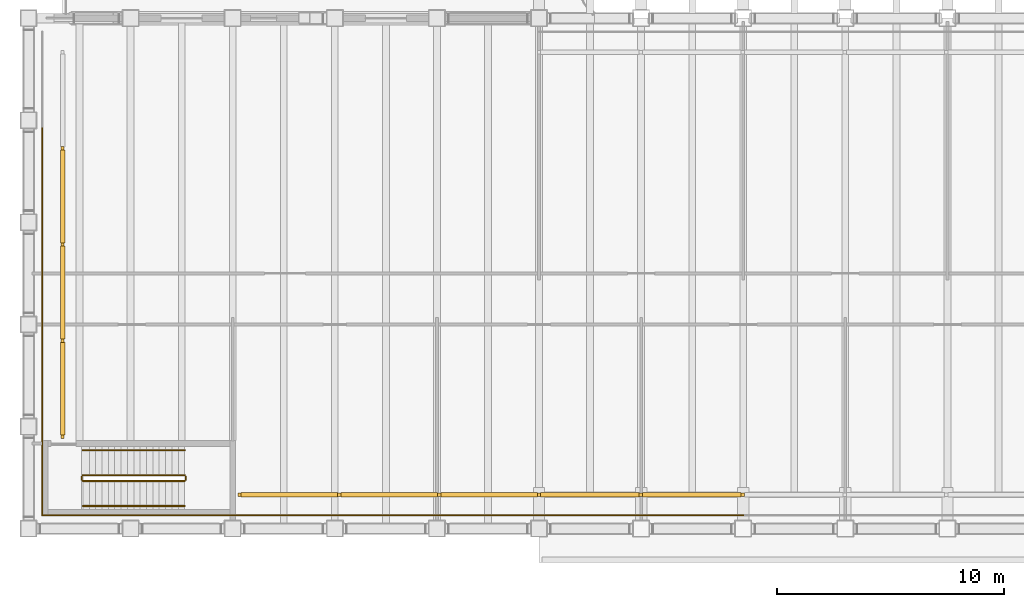
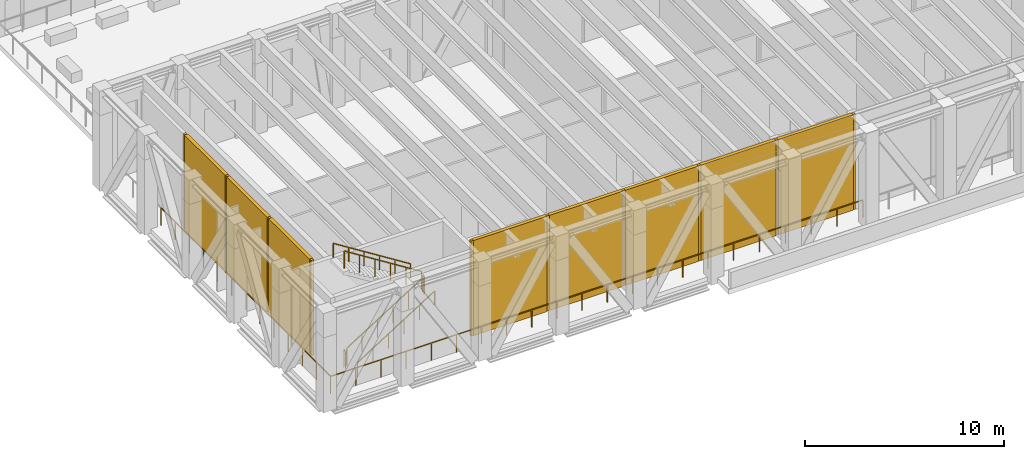
# One storey, part 14 of 20: 18 shading devices, 17 railings.
"""IFC4 building model written with IfcOpenShell, lengths in metres."""

from ifc_helpers import new_model, si_unit, direction, frame, origin, origin_2d, place, context, subcontext, project, spatial, rectangle, extrude, material, layer, layer_set, type_object, element, save


model = new_model("IFC4")

# Units and contexts
model_context = context("Model", 3, precision=1e-05, world=origin(), true_north=direction((0.0, 1.0)))
body_context = subcontext(model_context, "Body", "Model", "MODEL_VIEW")
ifc_project = project(units=[si_unit("LENGTHUNIT", "METRE"), si_unit("AREAUNIT", "SQUARE_METRE"), si_unit("VOLUMEUNIT", "CUBIC_METRE"), si_unit("PLANEANGLEUNIT", "RADIAN"), si_unit("MASSUNIT", "GRAM", prefix="KILO")], contexts=[model_context])

# Site, building, storey
site_placement = place(None, origin())
site = spatial("IfcSite", under=ifc_project, at=site_placement, CompositionType="ELEMENT")
building_placement = place(site_placement, origin())
building = spatial("IfcBuilding", under=site, at=building_placement, Name="Sennacour Bend Tower", CompositionType="ELEMENT")
storey_placement = place(building_placement, frame((0.0, 0.0, 243.0)))
storey = spatial("IfcBuildingStorey", under=building, at=storey_placement, Name="L56", CompositionType="ELEMENT", Elevation=243.0)

# Railings
ifc_material_1 = material(Name="Stainless steel 316", Category="steel")
railing_type_1 = type_object("IfcRailingType", Name="GUARD 1100", PredefinedType="GUARDRAIL", material=ifc_material_1)
for number, where, name in (
    (1, (0.60009765625, 0.60009765625, 0.0), "Guard L56"),
    (2, (0.60009765625, 4.860107421875, 0.0), "Guard L56"),
):
    element("IfcRailing", number, at=place(storey_placement, frame(where)), inside=storey, type_object=railing_type_1, Name=name, PredefinedType="GUARDRAIL", context=body_context, shape_type="SweptSolid", body=[
        extrude(rectangle(XDim=0.048095703125, YDim=0.048095703125, at=origin_2d()), frame((0.0, 0.0, 1.076171875), z_axis=(0.0, 1.0, 0.0), x_axis=(-1.0, 0.0, 0.0)), (0.0, 0.0, 1.0), 4.260009765625),
        extrude(rectangle(XDim=0.0419921875, YDim=0.0419921875, at=origin_2d()), origin(), (0.0, 0.0, 1.0), 1.052001953125),
        extrude(rectangle(XDim=0.0419921875, YDim=0.0419921875, at=origin_2d()), frame((0.0, 1.419921875, 0.0)), (0.0, 0.0, 1.0), 1.052001953125),
        extrude(rectangle(XDim=0.0419921875, YDim=0.0419921875, at=origin_2d()), frame((0.0, 2.840087890625, 0.0)), (0.0, 0.0, 1.0), 1.052001953125),
        extrude(rectangle(XDim=0.0419921875, YDim=0.0419921875, at=origin_2d()), frame((0.0, 4.260009765625, 0.0)), (0.0, 0.0, 1.0), 1.052001953125),
    ])
railing_1_placement = place(storey_placement, frame((0.60009765625, 9.1201171875, 0.0)))
element("IfcRailing", 3, at=railing_1_placement, inside=storey, type_object=railing_type_1, Name="Guard L56", PredefinedType="GUARDRAIL", context=body_context, shape_type="SweptSolid", body=[
    extrude(rectangle(XDim=0.048095703125, YDim=0.048095703125, at=origin_2d()), frame((0.0, 0.0, 1.076171875), z_axis=(0.0, 1.0, 0.0), x_axis=(-1.0, 0.0, 0.0)), (0.0, 0.0, 1.0), 4.259765625),
    extrude(rectangle(XDim=0.0419921875, YDim=0.0419921875, at=origin_2d()), origin(), (0.0, 0.0, 1.0), 1.052001953125),
    extrude(rectangle(XDim=0.0419921875, YDim=0.0419921875, at=origin_2d()), frame((0.0, 1.419921875, 0.0)), (0.0, 0.0, 1.0), 1.052001953125),
    extrude(rectangle(XDim=0.0419921875, YDim=0.0419921875, at=origin_2d()), frame((0.0, 2.83984375, 0.0)), (0.0, 0.0, 1.0), 1.052001953125),
    extrude(rectangle(XDim=0.0419921875, YDim=0.0419921875, at=origin_2d()), frame((0.0, 4.259765625, 0.0)), (0.0, 0.0, 1.0), 1.052001953125),
])
railing_2_placement = place(storey_placement, frame((0.60009765625, 13.3798828125, 0.0)))
element("IfcRailing", 4, at=railing_2_placement, inside=storey, type_object=railing_type_1, Name="Guard L56", PredefinedType="GUARDRAIL", context=body_context, shape_type="SweptSolid", body=[
    extrude(rectangle(XDim=0.048095703125, YDim=0.048095703125, at=origin_2d()), frame((0.0, 0.0, 1.076171875), z_axis=(0.0, 1.0, 0.0), x_axis=(-1.0, 0.0, 0.0)), (0.0, 0.0, 1.0), 4.260009765625),
    extrude(rectangle(XDim=0.0419921875, YDim=0.0419921875, at=origin_2d()), origin(), (0.0, 0.0, 1.0), 1.052001953125),
    extrude(rectangle(XDim=0.0419921875, YDim=0.0419921875, at=origin_2d()), frame((0.0, 1.419921875, 0.0)), (0.0, 0.0, 1.0), 1.052001953125),
    extrude(rectangle(XDim=0.0419921875, YDim=0.0419921875, at=origin_2d()), frame((0.0, 2.840087890625, 0.0)), (0.0, 0.0, 1.0), 1.052001953125),
    extrude(rectangle(XDim=0.0419921875, YDim=0.0419921875, at=origin_2d()), frame((0.0, 4.260009765625, 0.0)), (0.0, 0.0, 1.0), 1.052001953125),
])
railing_3_placement = place(storey_placement, frame((31.499755859375, 0.60009765625, 0.0)))
element("IfcRailing", 5, at=railing_3_placement, inside=storey, type_object=railing_type_1, Name="Guard L56", PredefinedType="GUARDRAIL", context=body_context, shape_type="SweptSolid", body=[
    extrude(rectangle(XDim=0.048095703125, YDim=0.048095703125, at=origin_2d()), frame((0.0, 0.0, 1.076171875), z_axis=(-1.0, 0.0, 0.0), x_axis=(0.0, -1.0, 0.0)), (0.0, 0.0, 1.0), 4.499755859375),
    extrude(rectangle(XDim=0.0419921875, YDim=0.0419921875, at=origin_2d()), origin(), (0.0, 0.0, 1.0), 1.052001953125),
    extrude(rectangle(XDim=0.0419921875, YDim=0.0419921875, at=origin_2d()), frame((-1.5, 0.0, 0.0)), (0.0, 0.0, 1.0), 1.052001953125),
    extrude(rectangle(XDim=0.0419921875, YDim=0.0419921875, at=origin_2d()), frame((-2.999755859375, 0.0, 0.0)), (0.0, 0.0, 1.0), 1.052001953125),
    extrude(rectangle(XDim=0.0419921875, YDim=0.0419921875, at=origin_2d()), frame((-4.499755859375, 0.0, 0.0)), (0.0, 0.0, 1.0), 1.052001953125),
])
railing_4_placement = place(storey_placement, frame((27.0, 0.60009765625, 0.0)))
element("IfcRailing", 6, at=railing_4_placement, inside=storey, type_object=railing_type_1, Name="Guard L56", PredefinedType="GUARDRAIL", context=body_context, shape_type="SweptSolid", body=[
    extrude(rectangle(XDim=0.048095703125, YDim=0.048095703125, at=origin_2d()), frame((0.0, 0.0, 1.076171875), z_axis=(-1.0, 0.0, 0.0), x_axis=(0.0, -1.0, 0.0)), (0.0, 0.0, 1.0), 4.5),
    extrude(rectangle(XDim=0.0419921875, YDim=0.0419921875, at=origin_2d()), origin(), (0.0, 0.0, 1.0), 1.052001953125),
    extrude(rectangle(XDim=0.0419921875, YDim=0.0419921875, at=origin_2d()), frame((-1.5, 0.0, 0.0)), (0.0, 0.0, 1.0), 1.052001953125),
    extrude(rectangle(XDim=0.0419921875, YDim=0.0419921875, at=origin_2d()), frame((-3.0, 0.0, 0.0)), (0.0, 0.0, 1.0), 1.052001953125),
    extrude(rectangle(XDim=0.0419921875, YDim=0.0419921875, at=origin_2d()), frame((-4.5, 0.0, 0.0)), (0.0, 0.0, 1.0), 1.052001953125),
])
railing_5_placement = place(storey_placement, frame((22.5, 0.60009765625, 0.0)))
element("IfcRailing", 7, at=railing_5_placement, inside=storey, type_object=railing_type_1, Name="Guard L56", PredefinedType="GUARDRAIL", context=body_context, shape_type="SweptSolid", body=[
    extrude(rectangle(XDim=0.048095703125, YDim=0.048095703125, at=origin_2d()), frame((0.0, 0.0, 1.076171875), z_axis=(-1.0, 0.0, 0.0), x_axis=(0.0, -1.0, 0.0)), (0.0, 0.0, 1.0), 4.3798828125),
    extrude(rectangle(XDim=0.0419921875, YDim=0.0419921875, at=origin_2d()), origin(), (0.0, 0.0, 1.0), 1.052001953125),
    extrude(rectangle(XDim=0.0419921875, YDim=0.0419921875, at=origin_2d()), frame((-1.4599609375, 0.0, 0.0)), (0.0, 0.0, 1.0), 1.052001953125),
    extrude(rectangle(XDim=0.0419921875, YDim=0.0419921875, at=origin_2d()), frame((-2.919921875, 0.0, 0.0)), (0.0, 0.0, 1.0), 1.052001953125),
    extrude(rectangle(XDim=0.0419921875, YDim=0.0419921875, at=origin_2d()), frame((-4.3798828125, 0.0, 0.0)), (0.0, 0.0, 1.0), 1.052001953125),
])
railing_6_placement = place(storey_placement, frame((18.1201171875, 0.60009765625, 0.0)))
element("IfcRailing", 8, at=railing_6_placement, inside=storey, type_object=railing_type_1, Name="Guard L56", PredefinedType="GUARDRAIL", context=body_context, shape_type="SweptSolid", body=[
    extrude(rectangle(XDim=0.048095703125, YDim=0.048095703125, at=origin_2d()), frame((0.0, 0.0, 1.076171875), z_axis=(-1.0, 0.0, 0.0), x_axis=(0.0, -1.0, 0.0)), (0.0, 0.0, 1.0), 4.380126953125),
    extrude(rectangle(XDim=0.0419921875, YDim=0.0419921875, at=origin_2d()), origin(), (0.0, 0.0, 1.0), 1.052001953125),
    extrude(rectangle(XDim=0.0419921875, YDim=0.0419921875, at=origin_2d()), frame((-1.4599609375, 0.0, 0.0)), (0.0, 0.0, 1.0), 1.052001953125),
    extrude(rectangle(XDim=0.0419921875, YDim=0.0419921875, at=origin_2d()), frame((-2.920166015625, 0.0, 0.0)), (0.0, 0.0, 1.0), 1.052001953125),
    extrude(rectangle(XDim=0.0419921875, YDim=0.0419921875, at=origin_2d()), frame((-4.380126953125, 0.0, 0.0)), (0.0, 0.0, 1.0), 1.052001953125),
])
railing_7_placement = place(storey_placement, frame((13.739990234375, 0.60009765625, 0.0)))
element("IfcRailing", 9, at=railing_7_placement, inside=storey, type_object=railing_type_1, Name="Guard L56", PredefinedType="GUARDRAIL", context=body_context, shape_type="SweptSolid", body=[
    extrude(rectangle(XDim=0.048095703125, YDim=0.048095703125, at=origin_2d()), frame((0.0, 0.0, 1.076171875), z_axis=(-1.0, 0.0, 0.0), x_axis=(0.0, -1.0, 0.0)), (0.0, 0.0, 1.0), 4.3798828125),
    extrude(rectangle(XDim=0.0419921875, YDim=0.0419921875, at=origin_2d()), origin(), (0.0, 0.0, 1.0), 1.052001953125),
    extrude(rectangle(XDim=0.0419921875, YDim=0.0419921875, at=origin_2d()), frame((-1.4599609375, 0.0, 0.0)), (0.0, 0.0, 1.0), 1.052001953125),
    extrude(rectangle(XDim=0.0419921875, YDim=0.0419921875, at=origin_2d()), frame((-2.919921875, 0.0, 0.0)), (0.0, 0.0, 1.0), 1.052001953125),
    extrude(rectangle(XDim=0.0419921875, YDim=0.0419921875, at=origin_2d()), frame((-4.3798828125, 0.0, 0.0)), (0.0, 0.0, 1.0), 1.052001953125),
])
railing_8_placement = place(storey_placement, frame((9.360107421875, 0.60009765625, 0.0)))
element("IfcRailing", 10, at=railing_8_placement, inside=storey, type_object=railing_type_1, Name="Guard L56", PredefinedType="GUARDRAIL", context=body_context, shape_type="SweptSolid", body=[
    extrude(rectangle(XDim=0.048095703125, YDim=0.048095703125, at=origin_2d()), frame((0.0, 0.0, 1.076171875), z_axis=(-1.0, 0.0, 0.0), x_axis=(0.0, -1.0, 0.0)), (0.0, 0.0, 1.0), 4.380126953125),
    extrude(rectangle(XDim=0.0419921875, YDim=0.0419921875, at=origin_2d()), origin(), (0.0, 0.0, 1.0), 1.052001953125),
    extrude(rectangle(XDim=0.0419921875, YDim=0.0419921875, at=origin_2d()), frame((-1.4599609375, 0.0, 0.0)), (0.0, 0.0, 1.0), 1.052001953125),
    extrude(rectangle(XDim=0.0419921875, YDim=0.0419921875, at=origin_2d()), frame((-2.920166015625, 0.0, 0.0)), (0.0, 0.0, 1.0), 1.052001953125),
    extrude(rectangle(XDim=0.0419921875, YDim=0.0419921875, at=origin_2d()), frame((-4.380126953125, 0.0, 0.0)), (0.0, 0.0, 1.0), 1.052001953125),
])
railing_9_placement = place(storey_placement, frame((4.97998046875, 0.60009765625, 0.0)))
element("IfcRailing", 11, at=railing_9_placement, inside=storey, type_object=railing_type_1, Name="Guard L56", PredefinedType="GUARDRAIL", context=body_context, shape_type="SweptSolid", body=[
    extrude(rectangle(XDim=0.048095703125, YDim=0.048095703125, at=origin_2d()), frame((0.0, 0.0, 1.076171875), z_axis=(-1.0, 0.0, 0.0), x_axis=(0.0, -1.0, 0.0)), (0.0, 0.0, 1.0), 4.3798828125),
    extrude(rectangle(XDim=0.0419921875, YDim=0.0419921875, at=origin_2d()), origin(), (0.0, 0.0, 1.0), 1.052001953125),
    extrude(rectangle(XDim=0.0419921875, YDim=0.0419921875, at=origin_2d()), frame((-1.4599609375, 0.0, 0.0)), (0.0, 0.0, 1.0), 1.052001953125),
    extrude(rectangle(XDim=0.0419921875, YDim=0.0419921875, at=origin_2d()), frame((-2.919921875, 0.0, 0.0)), (0.0, 0.0, 1.0), 1.052001953125),
    extrude(rectangle(XDim=0.0419921875, YDim=0.0419921875, at=origin_2d()), frame((-4.3798828125, 0.0, 0.0)), (0.0, 0.0, 1.0), 1.052001953125),
])

# Shading devices
ifc_material_2 = material(Name="Dark bronze anodised aluminium louvre", Category="aluminium")
ifc_layer = layer(ifc_material_2, 0.199951171875, Name="Dark bronze anodised aluminium louvre", Category="aluminium")
ifc_layer_set = layer_set([ifc_layer], Name="Dark bronze anodised aluminium louvre")
shading_device_type_1 = type_object("IfcShadingDeviceType", Name="LOUVRE BANK 200", PredefinedType="USERDEFINED", material=ifc_layer_set)
for number, where, z_axis, x_axis, name in (
    (12, (1.5, 6.168701171875, 0.0), (0.0, 0.0, 1.0), (0.0, 1.0, 0.0), "Louvre bank L56"),
    (13, (1.5, 10.40625, 0.0), (0.0, 0.0, 1.0), (0.0, 1.0, 0.0), "Louvre bank L56"),
    (14, (1.5, 14.643798828125, 0.0), (0.0, 0.0, 1.0), (0.0, 1.0, 0.0), "Louvre bank L56"),
):
    element("IfcShadingDevice", number, at=place(storey_placement, frame(where, z_axis=z_axis, x_axis=x_axis)), inside=storey, type_object=shading_device_type_1, Name=name, ObjectType="LOUVRE", PredefinedType="USERDEFINED", context=body_context, shape_type="SweptSolid", body=[
        extrude(rectangle(XDim=4.097412109375, YDim=0.199951171875, at=origin_2d()), origin(), (0.0, 0.0, 1.0), 5.85009765625),
    ])
for number, where, z_axis, x_axis, name in (
    (15, (29.233642578125, 1.5, 0.0), (0.0, 0.0, 1.0), (-1.0, 0.0, 0.0), "Louvre bank L56"),
    (16, (24.74462890625, 1.5, 0.0), (0.0, 0.0, 1.0), (-1.0, 0.0, 0.0), "Louvre bank L56"),
):
    element("IfcShadingDevice", number, at=place(storey_placement, frame(where, z_axis=z_axis, x_axis=x_axis)), inside=storey, type_object=shading_device_type_1, Name=name, ObjectType="LOUVRE", PredefinedType="USERDEFINED", context=body_context, shape_type="SweptSolid", body=[
        extrude(rectangle(XDim=4.34912109375, YDim=0.199951171875, at=origin_2d()), origin(), (0.0, 0.0, 1.0), 5.85009765625),
    ])
for number, where, z_axis, x_axis, name in (
    (17, (20.300048828125, 1.5, 0.0), (0.0, 0.0, 1.0), (-1.0, 0.0, 0.0), "Louvre bank L56"),
    (18, (15.89990234375, 1.5, 0.0), (0.0, 0.0, 1.0), (-1.0, 0.0, 0.0), "Louvre bank L56"),
    (19, (11.5, 1.5, 0.0), (0.0, 0.0, 1.0), (-1.0, 0.0, 0.0), "Louvre bank L56"),
):
    element("IfcShadingDevice", number, at=place(storey_placement, frame(where, z_axis=z_axis, x_axis=x_axis)), inside=storey, type_object=shading_device_type_1, Name=name, ObjectType="LOUVRE", PredefinedType="USERDEFINED", context=body_context, shape_type="SweptSolid", body=[
        extrude(rectangle(XDim=4.260009765625, YDim=0.199951171875, at=origin_2d()), origin(), (0.0, 0.0, 1.0), 5.85009765625),
    ])
shading_device_type_2 = type_object("IfcShadingDeviceType", Name="LOUVRE WALL POST 150", PredefinedType="USERDEFINED", material=ifc_material_2)
for number, where, z_axis, x_axis, name in (
    (20, (1.5, 4.050048828125, 0.0), (0.0, 0.0, 1.0), (1.0, 0.0, 0.0), "Louvre wall post L56"),
    (21, (1.5, 8.28759765625, 0.0), (0.0, 0.0, 1.0), (1.0, 0.0, 0.0), "Louvre wall post L56"),
    (22, (1.5, 12.52490234375, 0.0), (0.0, 0.0, 1.0), (1.0, 0.0, 0.0), "Louvre wall post L56"),
    (23, (1.5, 16.762451171875, 0.0), (0.0, 0.0, 1.0), (1.0, 0.0, 0.0), "Louvre wall post L56"),
    (24, (31.478271484375, 1.5, 0.0), (0.0, 0.0, 1.0), (1.0, 0.0, 0.0), "Louvre wall post L56"),
    (25, (26.989013671875, 1.5, 0.0), (0.0, 0.0, 1.0), (1.0, 0.0, 0.0), "Louvre wall post L56"),
    (26, (22.5, 1.5, 0.0), (0.0, 0.0, 1.0), (1.0, 0.0, 0.0), "Louvre wall post L56"),
    (27, (18.10009765625, 1.5, 0.0), (0.0, 0.0, 1.0), (1.0, 0.0, 0.0), "Louvre wall post L56"),
    (28, (13.699951171875, 1.5, 0.0), (0.0, 0.0, 1.0), (1.0, 0.0, 0.0), "Louvre wall post L56"),
    (29, (9.300048828125, 1.5, 0.0), (0.0, 0.0, 1.0), (1.0, 0.0, 0.0), "Louvre wall post L56"),
):
    element("IfcShadingDevice", number, at=place(storey_placement, frame(where, z_axis=z_axis, x_axis=x_axis)), inside=storey, type_object=shading_device_type_2, Name=name, ObjectType="LOUVRE", PredefinedType="USERDEFINED", context=body_context, shape_type="SweptSolid", body=[
        extrude(rectangle(XDim=0.14990234375, YDim=0.14990234375, at=origin_2d()), origin(), (0.0, 0.0, 1.0), 5.85009765625),
    ])

# Railings
ifc_material_3 = material(Name="Stainless steel", Category="steel")
railing_type_2 = type_object("IfcRailingType", Name="RL-GUARD-1100", PredefinedType="GUARDRAIL", material=ifc_material_3)
railing_10_placement = place(storey_placement, frame((2.39990234375, 2.10009765625, 0.176513671875)))
element("IfcRailing", 30, at=railing_10_placement, inside=storey, type_object=railing_type_2, Name="L56 SK1 stair guard 1", PredefinedType="GUARDRAIL", context=body_context, shape_type="SweptSolid", body=[
    extrude(rectangle(XDim=0.048095703125, YDim=0.048095703125, at=origin_2d()), frame((0.0, 0.0, 1.076171875), z_axis=(0.845997938375, 0.0, 0.533186166611), x_axis=(0.0, 1.0, 0.0)), (0.0, 0.0, 1.0), 5.29541015625),
    extrude(rectangle(XDim=0.0419921875, YDim=0.0419921875, at=origin_2d()), origin(), (0.0, 0.0, 1.0), 1.052001953125),
    extrude(rectangle(XDim=0.0419921875, YDim=0.0419921875, at=origin_2d()), frame((0.89599609375, 0.0, 0.564697265625)), (0.0, 0.0, 1.0), 1.052001953125),
    extrude(rectangle(XDim=0.0419921875, YDim=0.0419921875, at=origin_2d()), frame((1.7919921875, 0.0, 1.12939453125)), (0.0, 0.0, 1.0), 1.052001953125),
    extrude(rectangle(XDim=0.0419921875, YDim=0.0419921875, at=origin_2d()), frame((2.68798828125, 0.0, 1.694091796875)), (0.0, 0.0, 1.0), 1.052001953125),
    extrude(rectangle(XDim=0.0419921875, YDim=0.0419921875, at=origin_2d()), frame((3.583984375, 0.0, 2.2587890625)), (0.0, 0.0, 1.0), 1.052001953125),
    extrude(rectangle(XDim=0.0419921875, YDim=0.0419921875, at=origin_2d()), frame((4.47998046875, 0.0, 2.823486328125)), (0.0, 0.0, 1.0), 1.052001953125),
])
railing_11_placement = place(storey_placement, frame((6.929931640625, 2.14990234375, 3.0)))
element("IfcRailing", 31, at=railing_11_placement, inside=storey, type_object=railing_type_2, Name="L56 SK1 stair guard 2", PredefinedType="GUARDRAIL", context=body_context, shape_type="SweptSolid", body=[
    extrude(rectangle(XDim=0.048095703125, YDim=0.048095703125, at=origin_2d()), frame((0.0, 0.0, 1.076171875), z_axis=(0.0, 1.0, 0.0), x_axis=(-1.0, 0.0, 0.0)), (0.0, 0.0, 1.0), 0.150146484375),
    extrude(rectangle(XDim=0.0419921875, YDim=0.0419921875, at=origin_2d()), origin(), (0.0, 0.0, 1.0), 1.052001953125),
    extrude(rectangle(XDim=0.0419921875, YDim=0.0419921875, at=origin_2d()), frame((0.0, 0.150146484375, 0.0)), (0.0, 0.0, 1.0), 1.052001953125),
])
railing_12_placement = place(storey_placement, frame((6.8798828125, 2.35009765625, 3.176513671875)))
element("IfcRailing", 32, at=railing_12_placement, inside=storey, type_object=railing_type_2, Name="L56 SK1 stair guard 3", PredefinedType="GUARDRAIL", context=body_context, shape_type="SweptSolid", body=[
    extrude(rectangle(XDim=0.048095703125, YDim=0.048095703125, at=origin_2d()), frame((0.0, 0.0, 1.076171875), z_axis=(-0.845997938375, 0.0, 0.533186166611), x_axis=(0.0, -1.0, 0.0)), (0.0, 0.0, 1.0), 5.29541015625),
    extrude(rectangle(XDim=0.0419921875, YDim=0.0419921875, at=origin_2d()), origin(), (0.0, 0.0, 1.0), 1.052001953125),
    extrude(rectangle(XDim=0.0419921875, YDim=0.0419921875, at=origin_2d()), frame((-0.89599609375, 0.0, 0.564697265625)), (0.0, 0.0, 1.0), 1.052001953125),
    extrude(rectangle(XDim=0.0419921875, YDim=0.0419921875, at=origin_2d()), frame((-1.7919921875, 0.0, 1.12939453125)), (0.0, 0.0, 1.0), 1.052001953125),
    extrude(rectangle(XDim=0.0419921875, YDim=0.0419921875, at=origin_2d()), frame((-2.68798828125, 0.0, 1.694091796875)), (0.0, 0.0, 1.0), 1.052001953125),
    extrude(rectangle(XDim=0.0419921875, YDim=0.0419921875, at=origin_2d()), frame((-3.583984375, 0.0, 2.2587890625)), (0.0, 0.0, 1.0), 1.052001953125),
    extrude(rectangle(XDim=0.0419921875, YDim=0.0419921875, at=origin_2d()), frame((-4.47998046875, 0.0, 2.823486328125)), (0.0, 0.0, 1.0), 1.052001953125),
])
railing_13_placement = place(storey_placement, frame((2.35009765625, 2.14990234375, 0.0)))
element("IfcRailing", 33, at=railing_13_placement, inside=storey, type_object=railing_type_2, Name="L56 SK1 stair guard 4", PredefinedType="GUARDRAIL", context=body_context, shape_type="SweptSolid", body=[
    extrude(rectangle(XDim=0.048095703125, YDim=0.048095703125, at=origin_2d()), frame((0.0, 0.0, 1.076171875), z_axis=(0.0, 1.0, 0.0), x_axis=(-1.0, 0.0, 0.0)), (0.0, 0.0, 1.0), 0.150146484375),
    extrude(rectangle(XDim=0.0419921875, YDim=0.0419921875, at=origin_2d()), origin(), (0.0, 0.0, 1.0), 1.052001953125),
    extrude(rectangle(XDim=0.0419921875, YDim=0.0419921875, at=origin_2d()), frame((0.0, 0.150146484375, 0.0)), (0.0, 0.0, 1.0), 1.052001953125),
])
railing_type_3 = type_object("IfcRailingType", Name="RL-HANDRAIL-900", PredefinedType="HANDRAIL", material=ifc_material_3)
railing_14_placement = place(storey_placement, frame((2.39990234375, 1.0, 0.176513671875)))
element("IfcRailing", 34, at=railing_14_placement, inside=storey, type_object=railing_type_3, Name="L56 SK1 stair handrail 1", PredefinedType="HANDRAIL", context=body_context, shape_type="SweptSolid", body=[
    extrude(rectangle(XDim=0.048095703125, YDim=0.048095703125, at=origin_2d()), frame((0.0, 0.0, 0.8759765625), z_axis=(0.845997938375, 0.0, 0.533186166611), x_axis=(0.0, 1.0, 0.0)), (0.0, 0.0, 1.0), 5.29541015625),
    extrude(rectangle(XDim=0.0419921875, YDim=0.0419921875, at=origin_2d()), origin(), (0.0, 0.0, 1.0), 0.851806640625),
    extrude(rectangle(XDim=0.0419921875, YDim=0.0419921875, at=origin_2d()), frame((0.89599609375, 0.0, 0.564697265625)), (0.0, 0.0, 1.0), 0.851806640625),
    extrude(rectangle(XDim=0.0419921875, YDim=0.0419921875, at=origin_2d()), frame((1.7919921875, 0.0, 1.12939453125)), (0.0, 0.0, 1.0), 0.851806640625),
    extrude(rectangle(XDim=0.0419921875, YDim=0.0419921875, at=origin_2d()), frame((2.68798828125, 0.0, 1.694091796875)), (0.0, 0.0, 1.0), 0.851806640625),
    extrude(rectangle(XDim=0.0419921875, YDim=0.0419921875, at=origin_2d()), frame((3.583984375, 0.0, 2.2587890625)), (0.0, 0.0, 1.0), 0.851806640625),
    extrude(rectangle(XDim=0.0419921875, YDim=0.0419921875, at=origin_2d()), frame((4.47998046875, 0.0, 2.823486328125)), (0.0, 0.0, 1.0), 0.851806640625),
])
railing_15_placement = place(storey_placement, frame((6.8798828125, 3.449951171875, 3.176513671875)))
element("IfcRailing", 35, at=railing_15_placement, inside=storey, type_object=railing_type_3, Name="L56 SK1 stair handrail 2", PredefinedType="HANDRAIL", context=body_context, shape_type="SweptSolid", body=[
    extrude(rectangle(XDim=0.048095703125, YDim=0.048095703125, at=origin_2d()), frame((0.0, 0.0, 0.8759765625), z_axis=(-0.845997938375, 0.0, 0.533186166611), x_axis=(0.0, -1.0, 0.0)), (0.0, 0.0, 1.0), 5.29541015625),
    extrude(rectangle(XDim=0.0419921875, YDim=0.0419921875, at=origin_2d()), origin(), (0.0, 0.0, 1.0), 0.851806640625),
    extrude(rectangle(XDim=0.0419921875, YDim=0.0419921875, at=origin_2d()), frame((-0.89599609375, 0.0, 0.564697265625)), (0.0, 0.0, 1.0), 0.851806640625),
    extrude(rectangle(XDim=0.0419921875, YDim=0.0419921875, at=origin_2d()), frame((-1.7919921875, 0.0, 1.12939453125)), (0.0, 0.0, 1.0), 0.851806640625),
    extrude(rectangle(XDim=0.0419921875, YDim=0.0419921875, at=origin_2d()), frame((-2.68798828125, 0.0, 1.694091796875)), (0.0, 0.0, 1.0), 0.851806640625),
    extrude(rectangle(XDim=0.0419921875, YDim=0.0419921875, at=origin_2d()), frame((-3.583984375, 0.0, 2.2587890625)), (0.0, 0.0, 1.0), 0.851806640625),
    extrude(rectangle(XDim=0.0419921875, YDim=0.0419921875, at=origin_2d()), frame((-4.47998046875, 0.0, 2.823486328125)), (0.0, 0.0, 1.0), 0.851806640625),
])

save(model, "model.ifc")
